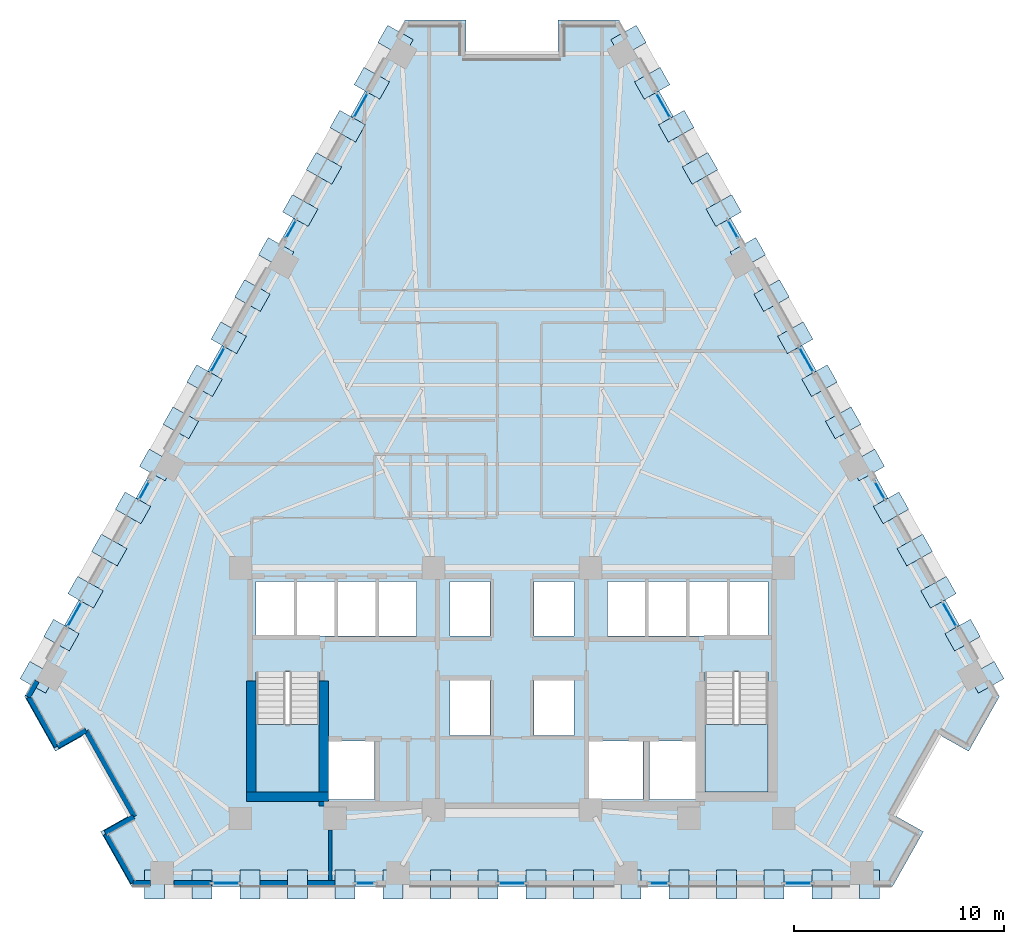
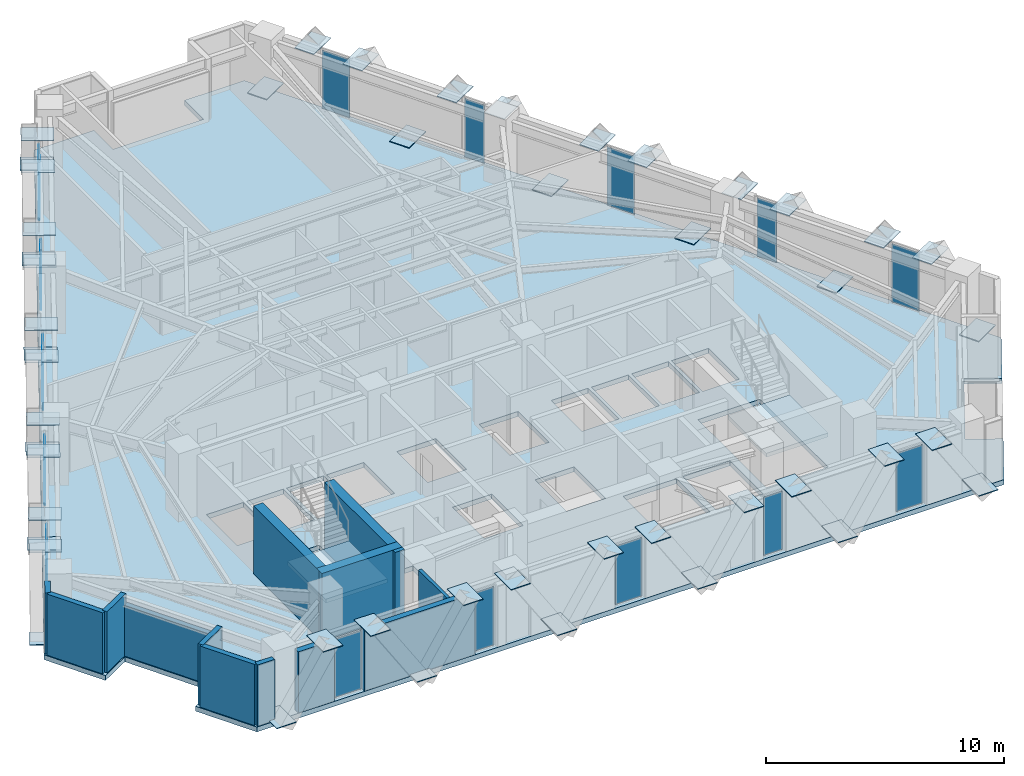
# One storey, part 6 of 13: 63 plates, 13 walls, 3 slabs, 17 elements without a shape of their own.
"""IFC4 building model written with IfcOpenShell, lengths in metres."""

from ifc_helpers import new_model, si_unit, direction, frame, frame_2d, origin, origin_2d, place, context, subcontext, project, spatial, polyline, rectangle, outline, extrude, material, layer, layer_set, type_object, element, aggregate, save


model = new_model("IFC4")

# Units and contexts
model_context = context("Model", 3, precision=1e-05, world=origin(), true_north=direction((0.0, 1.0)))
body_context = subcontext(model_context, "Body", "Model", "MODEL_VIEW")
ifc_project = project(units=[si_unit("LENGTHUNIT", "METRE"), si_unit("AREAUNIT", "SQUARE_METRE"), si_unit("VOLUMEUNIT", "CUBIC_METRE"), si_unit("PLANEANGLEUNIT", "RADIAN"), si_unit("MASSUNIT", "GRAM", prefix="KILO")], contexts=[model_context])

# Site, building, storey
site_placement = place(None, origin())
site = spatial("IfcSite", under=ifc_project, at=site_placement, CompositionType="ELEMENT")
building_placement = place(site_placement, origin())
building = spatial("IfcBuilding", under=site, at=building_placement, Name="Quenlor Broadcast Tower", CompositionType="ELEMENT")
storey_placement = place(building_placement, frame((0.0, 0.0, 87.10009765625)))
storey = spatial("IfcBuildingStorey", under=building, at=storey_placement, Name="L23", CompositionType="ELEMENT", Elevation=87.10009765625)

# Curtain wall, plate
ifc_material_1 = material(Name="Architectural Terracotta and Low-E Glazing", Category="masonry")
curtain_wall_type = type_object("IfcCurtainWallType", Name="Unitised Terracotta Curtain Wall System Z2", PredefinedType="NOTDEFINED", material=ifc_material_1)
curtain_wall_1_placement = place(storey_placement, origin())
curtain_wall_1 = element("IfcCurtainWall", 1, at=curtain_wall_1_placement, inside=storey, type_object=curtain_wall_type, Name="L23 Curtain Wall CW2 (L23-SA-G1)", PredefinedType="NOTDEFINED")
ifc_material_2 = material(Name="Double Glazed Low-E Solar Glass", Category="glass")
ifc_layer_1 = layer(ifc_material_2, 0.030029296875)
ifc_layer_set_1 = layer_set([ifc_layer_1], Name="CW2 Double Glazed Vision Panel 30")
plate_type_1 = type_object("IfcPlateType", Name="CW2 Double Glazed Vision Panel 30", PredefinedType="CURTAIN_PANEL", material=ifc_layer_set_1)
plate_1_placement = place(storey_placement, frame((13.63525390625, -19.840087890625, 0.07470703125), z_axis=(0.0, 0.0, 1.0), x_axis=(-1.0, 0.0, 0.0)))
plate_1 = element("IfcPlate", 2, at=plate_1_placement, type_object=plate_type_1, Name="CW2 panel 1.1", PredefinedType="CURTAIN_PANEL", context=body_context, shape_type="SweptSolid", body=[
    extrude(rectangle(XDim=1.29345703125, YDim=0.030029296875, at=origin_2d()), origin(), (0.0, 0.0, 1.0), 2.989990234375),
])
aggregate(curtain_wall_1, [plate_1])

curtain_wall_2_placement = place(storey_placement, origin())
curtain_wall_2 = element("IfcCurtainWall", 3, at=curtain_wall_2_placement, inside=storey, type_object=curtain_wall_type, Name="L23 Curtain Wall CW2 (L23-SA-G2)", PredefinedType="NOTDEFINED")
plate_2_placement = place(storey_placement, frame((7.0087890625, -19.840087890625, 0.07470703125), z_axis=(0.0, 0.0, 1.0), x_axis=(-1.0, 0.0, 0.0)))
plate_2 = element("IfcPlate", 4, at=plate_2_placement, type_object=plate_type_1, Name="CW2 panel 1.1", PredefinedType="CURTAIN_PANEL", context=body_context, shape_type="SweptSolid", body=[
    extrude(rectangle(XDim=0.9111328125, YDim=0.030029296875, at=origin_2d()), origin(), (0.0, 0.0, 1.0), 2.989990234375),
])
aggregate(curtain_wall_2, [plate_2])

curtain_wall_3_placement = place(storey_placement, origin())
curtain_wall_3 = element("IfcCurtainWall", 5, at=curtain_wall_3_placement, inside=storey, type_object=curtain_wall_type, Name="L23 Curtain Wall CW2 (L23-SC-G1)", PredefinedType="NOTDEFINED")
plate_3_placement = place(storey_placement, frame((-7.0087890625, -19.840087890625, 0.07470703125), z_axis=(0.0, 0.0, 1.0), x_axis=(-1.0, 0.0, 0.0)))
plate_3 = element("IfcPlate", 6, at=plate_3_placement, type_object=plate_type_1, Name="CW2 panel 1.1", PredefinedType="CURTAIN_PANEL", context=body_context, shape_type="SweptSolid", body=[
    extrude(rectangle(XDim=0.9111328125, YDim=0.030029296875, at=origin_2d()), origin(), (0.0, 0.0, 1.0), 2.989990234375),
])
aggregate(curtain_wall_3, [plate_3])

curtain_wall_4_placement = place(storey_placement, origin())
curtain_wall_4 = element("IfcCurtainWall", 7, at=curtain_wall_4_placement, inside=storey, type_object=curtain_wall_type, Name="L23 Curtain Wall CW2 (L23-SC-G2)", PredefinedType="NOTDEFINED")
plate_4_placement = place(storey_placement, frame((-13.63525390625, -19.840087890625, 0.07470703125), z_axis=(0.0, 0.0, 1.0), x_axis=(-1.0, 0.0, 0.0)))
plate_4 = element("IfcPlate", 8, at=plate_4_placement, type_object=plate_type_1, Name="CW2 panel 1.1", PredefinedType="CURTAIN_PANEL", context=body_context, shape_type="SweptSolid", body=[
    extrude(rectangle(XDim=1.29345703125, YDim=0.030029296875, at=origin_2d()), origin(), (0.0, 0.0, 1.0), 2.989990234375),
])
aggregate(curtain_wall_4, [plate_4])

curtain_wall_5_placement = place(storey_placement, origin())
curtain_wall_5 = element("IfcCurtainWall", 9, at=curtain_wall_5_placement, inside=storey, type_object=curtain_wall_type, Name="L23 Curtain Wall CW2 (L23-S-G1)", PredefinedType="NOTDEFINED")
plate_5_placement = place(storey_placement, frame((0.0, -19.840087890625, 0.07470703125), z_axis=(0.0, 0.0, 1.0), x_axis=(-1.0, 0.0, 0.0)))
plate_5 = element("IfcPlate", 10, at=plate_5_placement, type_object=plate_type_1, Name="CW2 panel 1.1", PredefinedType="CURTAIN_PANEL", context=body_context, shape_type="SweptSolid", body=[
    extrude(rectangle(XDim=1.29345703125, YDim=0.030029296875, at=origin_2d()), origin(), (0.0, 0.0, 1.0), 2.989990234375),
])
aggregate(curtain_wall_5, [plate_5])

curtain_wall_6_placement = place(storey_placement, origin())
curtain_wall_6 = element("IfcCurtainWall", 11, at=curtain_wall_6_placement, inside=storey, type_object=curtain_wall_type, Name="L23 Curtain Wall CW2 (L23-NEA-G1)", PredefinedType="NOTDEFINED")
plate_6_placement = place(storey_placement, frame((7.209228515625, 17.257080078125, 0.07470703125), z_axis=(0.0, 0.0, 1.0), x_axis=(0.490213487083, -0.871602396212, 0.0)))
plate_6 = element("IfcPlate", 12, at=plate_6_placement, type_object=plate_type_1, Name="CW2 panel 1.1", PredefinedType="CURTAIN_PANEL", context=body_context, shape_type="SweptSolid", body=[
    extrude(rectangle(XDim=1.34130859375, YDim=0.030029296875, at=origin_2d()), origin(), (0.0, 0.0, 1.0), 2.989990234375),
])
aggregate(curtain_wall_6, [plate_6])

curtain_wall_7_placement = place(storey_placement, origin())
curtain_wall_7 = element("IfcCurtainWall", 13, at=curtain_wall_7_placement, inside=storey, type_object=curtain_wall_type, Name="L23 Curtain Wall CW2 (L23-NEA-G2)", PredefinedType="NOTDEFINED")
plate_7_placement = place(storey_placement, frame((10.53173828125, 11.3505859375, 0.07470703125), z_axis=(0.0, 0.0, 1.0), x_axis=(0.490248534392, -0.8715826837, 0.0)))
plate_7 = element("IfcPlate", 14, at=plate_7_placement, type_object=plate_type_1, Name="CW2 panel 1.1", PredefinedType="CURTAIN_PANEL", context=body_context, shape_type="SweptSolid", body=[
    extrude(rectangle(XDim=0.970947265625, YDim=0.030029296875, at=origin_2d()), origin(), (0.0, 0.0, 1.0), 2.989990234375),
])
aggregate(curtain_wall_7, [plate_7])

curtain_wall_8_placement = place(storey_placement, origin())
curtain_wall_8 = element("IfcCurtainWall", 15, at=curtain_wall_8_placement, inside=storey, type_object=curtain_wall_type, Name="L23 Curtain Wall CW2 (L23-NEC-G1)", PredefinedType="NOTDEFINED")
plate_8_placement = place(storey_placement, frame((17.539306640625, -1.107421875, 0.07470703125), z_axis=(0.0, 0.0, 1.0), x_axis=(0.490248534392, -0.8715826837, 0.0)))
plate_8 = element("IfcPlate", 16, at=plate_8_placement, type_object=plate_type_1, Name="CW2 panel 1.1", PredefinedType="CURTAIN_PANEL", context=body_context, shape_type="SweptSolid", body=[
    extrude(rectangle(XDim=0.970947265625, YDim=0.030029296875, at=origin_2d()), origin(), (0.0, 0.0, 1.0), 2.989990234375),
])
aggregate(curtain_wall_8, [plate_8])

curtain_wall_9_placement = place(storey_placement, origin())
curtain_wall_9 = element("IfcCurtainWall", 17, at=curtain_wall_9_placement, inside=storey, type_object=curtain_wall_type, Name="L23 Curtain Wall CW2 (L23-NEC-G2)", PredefinedType="NOTDEFINED")
plate_9_placement = place(storey_placement, frame((20.861572265625, -7.013916015625, 0.07470703125), z_axis=(0.0, 0.0, 1.0), x_axis=(0.490242137678, -0.871586281699, 0.0)))
plate_9 = element("IfcPlate", 18, at=plate_9_placement, type_object=plate_type_1, Name="CW2 panel 1.1", PredefinedType="CURTAIN_PANEL", context=body_context, shape_type="SweptSolid", body=[
    extrude(rectangle(XDim=1.34130859375, YDim=0.030029296875, at=origin_2d()), origin(), (0.0, 0.0, 1.0), 2.989990234375),
])
aggregate(curtain_wall_9, [plate_9])

curtain_wall_10_placement = place(storey_placement, origin())
curtain_wall_10 = element("IfcCurtainWall", 19, at=curtain_wall_10_placement, inside=storey, type_object=curtain_wall_type, Name="L23 Curtain Wall CW2 (L23-NE-G1)", PredefinedType="NOTDEFINED")
plate_10_placement = place(storey_placement, frame((14.035400390625, 5.12158203125, 0.07470703125), z_axis=(0.0, 0.0, 1.0), x_axis=(0.490293074665, -0.871557629154, 0.0)))
plate_10 = element("IfcPlate", 20, at=plate_10_placement, type_object=plate_type_1, Name="CW2 panel 1.1", PredefinedType="CURTAIN_PANEL", context=body_context, shape_type="SweptSolid", body=[
    extrude(rectangle(XDim=1.34130859375, YDim=0.030029296875, at=origin_2d()), origin(), (0.0, 0.0, 1.0), 2.989990234375),
])
aggregate(curtain_wall_10, [plate_10])

curtain_wall_11_placement = place(storey_placement, origin())
curtain_wall_11 = element("IfcCurtainWall", 21, at=curtain_wall_11_placement, inside=storey, type_object=curtain_wall_type, Name="L23 Curtain Wall CW2 (L23-NWA-G1)", PredefinedType="NOTDEFINED")
plate_11_placement = place(storey_placement, frame((-20.861572265625, -7.013916015625, 0.07470703125), z_axis=(0.0, 0.0, 1.0), x_axis=(0.490242137678, 0.871586281699, 0.0)))
plate_11 = element("IfcPlate", 22, at=plate_11_placement, type_object=plate_type_1, Name="CW2 panel 1.1", PredefinedType="CURTAIN_PANEL", context=body_context, shape_type="SweptSolid", body=[
    extrude(rectangle(XDim=1.34130859375, YDim=0.030029296875, at=origin_2d()), origin(), (0.0, 0.0, 1.0), 2.989990234375),
])
aggregate(curtain_wall_11, [plate_11])

curtain_wall_12_placement = place(storey_placement, origin())
curtain_wall_12 = element("IfcCurtainWall", 23, at=curtain_wall_12_placement, inside=storey, type_object=curtain_wall_type, Name="L23 Curtain Wall CW2 (L23-NWA-G2)", PredefinedType="NOTDEFINED")
plate_12_placement = place(storey_placement, frame((-17.539306640625, -1.107421875, 0.07470703125), z_axis=(0.0, 0.0, 1.0), x_axis=(0.490248534392, 0.8715826837, 0.0)))
plate_12 = element("IfcPlate", 24, at=plate_12_placement, type_object=plate_type_1, Name="CW2 panel 1.1", PredefinedType="CURTAIN_PANEL", context=body_context, shape_type="SweptSolid", body=[
    extrude(rectangle(XDim=0.970947265625, YDim=0.030029296875, at=origin_2d()), origin(), (0.0, 0.0, 1.0), 2.989990234375),
])
aggregate(curtain_wall_12, [plate_12])

curtain_wall_13_placement = place(storey_placement, origin())
curtain_wall_13 = element("IfcCurtainWall", 25, at=curtain_wall_13_placement, inside=storey, type_object=curtain_wall_type, Name="L23 Curtain Wall CW2 (L23-NWC-G1)", PredefinedType="NOTDEFINED")
plate_13_placement = place(storey_placement, frame((-10.53173828125, 11.3505859375, 0.07470703125), z_axis=(0.0, 0.0, 1.0), x_axis=(0.490248534392, 0.8715826837, 0.0)))
plate_13 = element("IfcPlate", 26, at=plate_13_placement, type_object=plate_type_1, Name="CW2 panel 1.1", PredefinedType="CURTAIN_PANEL", context=body_context, shape_type="SweptSolid", body=[
    extrude(rectangle(XDim=0.970947265625, YDim=0.030029296875, at=origin_2d()), origin(), (0.0, 0.0, 1.0), 2.989990234375),
])
aggregate(curtain_wall_13, [plate_13])

curtain_wall_14_placement = place(storey_placement, origin())
curtain_wall_14 = element("IfcCurtainWall", 27, at=curtain_wall_14_placement, inside=storey, type_object=curtain_wall_type, Name="L23 Curtain Wall CW2 (L23-NWC-G2)", PredefinedType="NOTDEFINED")
plate_14_placement = place(storey_placement, frame((-7.209228515625, 17.257080078125, 0.07470703125), z_axis=(0.0, 0.0, 1.0), x_axis=(0.490213487083, 0.871602396212, 0.0)))
plate_14 = element("IfcPlate", 28, at=plate_14_placement, type_object=plate_type_1, Name="CW2 panel 1.1", PredefinedType="CURTAIN_PANEL", context=body_context, shape_type="SweptSolid", body=[
    extrude(rectangle(XDim=1.34130859375, YDim=0.030029296875, at=origin_2d()), origin(), (0.0, 0.0, 1.0), 2.989990234375),
])
aggregate(curtain_wall_14, [plate_14])

curtain_wall_15_placement = place(storey_placement, origin())
curtain_wall_15 = element("IfcCurtainWall", 29, at=curtain_wall_15_placement, inside=storey, type_object=curtain_wall_type, Name="L23 Curtain Wall CW2 (L23-NW-G1)", PredefinedType="NOTDEFINED")
plate_15_placement = place(storey_placement, frame((-14.035400390625, 5.12158203125, 0.07470703125), z_axis=(0.0, 0.0, 1.0), x_axis=(0.490293074665, 0.871557629154, 0.0)))
plate_15 = element("IfcPlate", 30, at=plate_15_placement, type_object=plate_type_1, Name="CW2 panel 1.1", PredefinedType="CURTAIN_PANEL", context=body_context, shape_type="SweptSolid", body=[
    extrude(rectangle(XDim=1.34130859375, YDim=0.030029296875, at=origin_2d()), origin(), (0.0, 0.0, 1.0), 2.989990234375),
])
aggregate(curtain_wall_15, [plate_15])

# Stair, slab
ifc_material_3 = material(Name="Precast concrete C40/50", Category="concrete")
stair_type = type_object("IfcStairType", Name="Precast Concrete C40/50 Dogleg Stair H350", PredefinedType="HALF_TURN_STAIR", material=ifc_material_3)
stair_1_placement = place(storey_placement, origin())
stair_1 = element("IfcStair", 31, at=stair_1_placement, inside=storey, type_object=stair_type, Name="L23 West Core Fire-Isolated Exit Stair ST-1", PredefinedType="HALF_TURN_STAIR")
ifc_material_4 = material(Name="Precast concrete C40/50", Category="concrete")
ifc_layer_2 = layer(ifc_material_4, 0.199951171875)
ifc_layer_set_2 = layer_set([ifc_layer_2], Name="Precast Concrete C40/50 Stair Landing Slab 200")
slab_type_1 = type_object("IfcSlabType", Name="Precast Concrete C40/50 Stair Landing Slab 200", PredefinedType="LANDING", material=ifc_layer_set_2)
slab_1_placement = place(storey_placement, frame((0.0, 0.0, 1.5498046875)))
slab_1 = element("IfcSlab", 32, at=slab_1_placement, type_object=slab_type_1, Name="ST-1 landing 1", PredefinedType="LANDING", context=body_context, shape_type="SweptSolid", body=[
    extrude(outline(polyline([(-12.199951171875, -12.27001953125), (-12.199951171875, -15.5), (-9.199951171875, -15.5), (-9.199951171875, -12.27001953125), (-12.199951171875, -12.27001953125)])), origin(), (0.0, 0.0, 1.0), 0.2001953125),
])
aggregate(stair_1, [slab_1])

stair_2_placement = place(storey_placement, origin())
stair_2 = element("IfcStair", 33, at=stair_2_placement, inside=storey, type_object=stair_type, Name="L23 East Core Fire-Isolated Exit Stair ST-2", PredefinedType="HALF_TURN_STAIR")
slab_2_placement = place(storey_placement, frame((0.0, 0.0, 1.5498046875)))
slab_2 = element("IfcSlab", 34, at=slab_2_placement, type_object=slab_type_1, Name="ST-2 landing 1", PredefinedType="LANDING", context=body_context, shape_type="SweptSolid", body=[
    extrude(outline(polyline([(9.199951171875, -12.27001953125), (9.199951171875, -15.5), (12.199951171875, -15.5), (12.199951171875, -12.27001953125), (9.199951171875, -12.27001953125)])), origin(), (0.0, 0.0, 1.0), 0.2001953125),
])
aggregate(stair_2, [slab_2])

# Slab
ifc_material_5 = material(Name="Concrete C40/50", Category="concrete")
ifc_layer_3 = layer(ifc_material_5, 0.25)
ifc_layer_set_3 = layer_set([ifc_layer_3], Name="Tower Composite Concrete C40/50 Slab 250")
slab_type_2 = type_object("IfcSlabType", Name="Tower Composite Concrete C40/50 Slab 250", PredefinedType="FLOOR", material=ifc_layer_set_3)
slab_3_placement = place(storey_placement, frame((0.0, 0.0, -0.25)))
element("IfcSlab", 35, at=slab_3_placement, inside=storey, type_object=slab_type_2, Name="L23 Structural Floor Slab", PredefinedType="FLOOR", context=body_context, shape_type="SweptSolid", body=[
    extrude(outline(polyline([(18.14404296875, -20.0), (19.616943359375, -17.381591796875), (18.222412109375, -16.596923828125), (20.379638671875, -12.76220703125), (21.774169921875, -13.54638671875), (23.2470703125, -10.927978515625), (5.10302734375, 21.327880859375), (2.199951171875, 21.327880859375), (2.199951171875, 19.72802734375), (-2.199951171875, 19.72802734375), (-2.199951171875, 21.327880859375), (-5.10302734375, 21.327880859375), (-23.2470703125, -10.927978515625), (-21.774169921875, -13.54638671875), (-20.379638671875, -12.76220703125), (-18.222412109375, -16.596923828125), (-19.616943359375, -17.381591796875), (-18.14404296875, -20.0), (18.14404296875, -20.0)]), holes=[polyline([(-12.199951171875, -9.758056640625), (-12.199951171875, -15.5), (-9.199951171875, -15.5), (-9.199951171875, -9.758056640625), (-12.199951171875, -9.758056640625)]), polyline([(9.199951171875, -9.758056640625), (9.199951171875, -15.5), (12.199951171875, -15.5), (12.199951171875, -9.758056640625), (9.199951171875, -9.758056640625)]), polyline([(-12.199951171875, -8.050048828125), (-10.39990234375, -8.050048828125), (-10.39990234375, -5.449951171875), (-12.199951171875, -5.449951171875), (-12.199951171875, -8.050048828125)]), polyline([(-10.25, -8.050048828125), (-8.449951171875, -8.050048828125), (-8.449951171875, -5.449951171875), (-10.25, -5.449951171875), (-10.25, -8.050048828125)]), polyline([(-8.300048828125, -8.050048828125), (-6.5, -8.050048828125), (-6.5, -5.449951171875), (-8.300048828125, -5.449951171875), (-8.300048828125, -8.050048828125)]), polyline([(-6.35009765625, -8.050048828125), (-4.550048828125, -8.050048828125), (-4.550048828125, -5.449951171875), (-6.35009765625, -5.449951171875), (-6.35009765625, -8.050048828125)]), polyline([(-2.949951171875, -8.050048828125), (-1.050048828125, -8.050048828125), (-1.050048828125, -5.449951171875), (-2.949951171875, -5.449951171875), (-2.949951171875, -8.050048828125)]), polyline([(1.050048828125, -8.050048828125), (2.949951171875, -8.050048828125), (2.949951171875, -5.449951171875), (1.050048828125, -5.449951171875), (1.050048828125, -8.050048828125)]), polyline([(-2.949951171875, -12.800048828125), (-1.050048828125, -12.800048828125), (-1.050048828125, -10.14990234375), (-2.949951171875, -10.14990234375), (-2.949951171875, -12.800048828125)]), polyline([(1.050048828125, -12.800048828125), (2.949951171875, -12.800048828125), (2.949951171875, -10.14990234375), (1.050048828125, -10.14990234375), (1.050048828125, -12.800048828125)]), polyline([(4.550048828125, -8.050048828125), (6.35009765625, -8.050048828125), (6.35009765625, -5.449951171875), (4.550048828125, -5.449951171875), (4.550048828125, -8.050048828125)]), polyline([(6.5, -8.050048828125), (8.300048828125, -8.050048828125), (8.300048828125, -5.449951171875), (6.5, -5.449951171875), (6.5, -8.050048828125)]), polyline([(8.449951171875, -8.050048828125), (10.25, -8.050048828125), (10.25, -5.449951171875), (8.449951171875, -5.449951171875), (8.449951171875, -8.050048828125)]), polyline([(10.39990234375, -8.050048828125), (12.199951171875, -8.050048828125), (12.199951171875, -5.449951171875), (10.39990234375, -5.449951171875), (10.39990234375, -8.050048828125)]), polyline([(-8.85009765625, -15.85009765625), (-6.550048828125, -15.85009765625), (-6.550048828125, -13.050048828125), (-8.85009765625, -13.050048828125), (-8.85009765625, -15.85009765625)]), polyline([(6.550048828125, -15.85009765625), (8.85009765625, -15.85009765625), (8.85009765625, -13.050048828125), (6.550048828125, -13.050048828125), (6.550048828125, -15.85009765625)]), polyline([(3.64990234375, -15.85009765625), (6.25, -15.85009765625), (6.25, -13.050048828125), (3.64990234375, -13.050048828125), (3.64990234375, -15.85009765625)])]), origin(), (0.0, 0.0, 1.0), 0.25),
])

# Plates
ifc_material_6 = material(Name="Steel S355", Category="steel")
ifc_layer_4 = layer(ifc_material_6, 0.035888671875)
ifc_layer_set_4 = layer_set([ifc_layer_4], Name="Transfer Truss Steel S355 Gusset Node Plate 1400x950x36")
plate_type_2 = type_object("IfcPlateType", Name="Transfer Truss Steel S355 Gusset Node Plate 1400x950x36", PredefinedType="SHEET", material=ifc_layer_set_4)
for number, where, z_axis, x_axis, name in (
    (36, (17.0439453125, -19.89990234375, 0.0419921875), (0.0, 0.0, 1.0), (0.0, -1.0, 0.0), "L23 Lattice Tie Gusset Node S-B0"),
    (37, (14.78515625, -19.89990234375, 3.18212890625), (0.0, 0.0, 1.0), (0.0, -1.0, 0.0), "L23 Lattice Tie Gusset Node S-T1"),
    (38, (10.226318359375, -19.89990234375, 0.0419921875), (0.0, 0.0, 1.0), (0.0, -1.0, 0.0), "L23 Lattice Tie Gusset Node S-B3"),
    (39, (12.4853515625, -19.89990234375, 3.18212890625), (0.0, 0.0, 1.0), (0.0, -1.0, 0.0), "L23 Lattice Tie Gusset Node S-T2"),
    (40, (7.967529296875, -19.89990234375, 3.18212890625), (0.0, 0.0, 1.0), (0.0, -1.0, 0.0), "L23 Lattice Tie Gusset Node S-T4"),
    (41, (3.40869140625, -19.89990234375, 0.0419921875), (0.0, 0.0, 1.0), (0.0, -1.0, 0.0), "L23 Lattice Tie Gusset Node S-B6"),
    (42, (5.667724609375, -19.89990234375, 3.18212890625), (0.0, 0.0, 1.0), (0.0, -1.0, 0.0), "L23 Lattice Tie Gusset Node S-T5"),
    (43, (1.14990234375, -19.89990234375, 3.18212890625), (0.0, 0.0, 1.0), (0.0, -1.0, 0.0), "L23 Lattice Tie Gusset Node S-T7"),
    (44, (-3.40869140625, -19.89990234375, 0.0419921875), (0.0, 0.0, 1.0), (0.0, -1.0, 0.0), "L23 Lattice Tie Gusset Node S-B9"),
    (45, (-1.14990234375, -19.89990234375, 3.18212890625), (0.0, 0.0, 1.0), (0.0, -1.0, 0.0), "L23 Lattice Tie Gusset Node S-T8"),
    (46, (-5.667724609375, -19.89990234375, 3.18212890625), (0.0, 0.0, 1.0), (0.0, -1.0, 0.0), "L23 Lattice Tie Gusset Node S-T10"),
    (47, (-10.226318359375, -19.89990234375, 0.0419921875), (0.0, 0.0, 1.0), (0.0, -1.0, 0.0), "L23 Lattice Tie Gusset Node S-B12"),
    (48, (-7.967529296875, -19.89990234375, 3.18212890625), (0.0, 0.0, 1.0), (0.0, -1.0, 0.0), "L23 Lattice Tie Gusset Node S-T11"),
    (49, (-12.4853515625, -19.89990234375, 3.18212890625), (0.0, 0.0, 1.0), (0.0, -1.0, 0.0), "L23 Lattice Tie Gusset Node S-T13"),
    (50, (-17.0439453125, -19.89990234375, 0.0419921875), (0.0, 0.0, 1.0), (0.0, -1.0, 0.0), "L23 Lattice Tie Gusset Node S-B15"),
    (51, (-14.78515625, -19.89990234375, 3.18212890625), (0.0, 0.0, 1.0), (0.0, -1.0, 0.0), "L23 Lattice Tie Gusset Node S-T14"),
    (52, (5.55517578125, 20.3203125, 0.0419921875), (0.0, 0.0, 1.0), (0.871556314255, 0.490295412055, 0.0), "L23 Lattice Tie Gusset Node NE-B0"),
    (53, (6.68603515625, 18.309814453125, 3.18212890625), (0.0, 0.0, 1.0), (0.871556314255, 0.490295412055, 0.0), "L23 Lattice Tie Gusset Node NE-T1"),
    (54, (8.96826171875, 14.252685546875, 0.0419921875), (0.0, 0.0, 1.0), (0.871556314255, 0.490295412055, 0.0), "L23 Lattice Tie Gusset Node NE-B3"),
    (55, (7.83740234375, 16.262939453125, 3.18212890625), (0.0, 0.0, 1.0), (0.871556314255, 0.490295412055, 0.0), "L23 Lattice Tie Gusset Node NE-T2"),
    (56, (10.09912109375, 12.2421875, 3.18212890625), (0.0, 0.0, 1.0), (0.871556314255, 0.490295412055, 0.0), "L23 Lattice Tie Gusset Node NE-T4"),
    (57, (12.38134765625, 8.184814453125, 0.0419921875), (0.0, 0.0, 1.0), (0.871556314255, 0.490295412055, 0.0), "L23 Lattice Tie Gusset Node NE-B6"),
    (58, (11.25048828125, 10.1953125, 3.18212890625), (0.0, 0.0, 1.0), (0.871556314255, 0.490295412055, 0.0), "L23 Lattice Tie Gusset Node NE-T5"),
    (59, (13.51220703125, 6.17431640625, 3.18212890625), (0.0, 0.0, 1.0), (0.871556314255, 0.490295412055, 0.0), "L23 Lattice Tie Gusset Node NE-T7"),
    (60, (15.794189453125, 2.1171875, 0.0419921875), (0.0, 0.0, 1.0), (0.871556314255, 0.490295412055, 0.0), "L23 Lattice Tie Gusset Node NE-B9"),
    (61, (14.66357421875, 4.127685546875, 3.18212890625), (0.0, 0.0, 1.0), (0.871556314255, 0.490295412055, 0.0), "L23 Lattice Tie Gusset Node NE-T8"),
    (62, (16.92529296875, 0.106689453125, 3.18212890625), (0.0, 0.0, 1.0), (0.871556314255, 0.490295412055, 0.0), "L23 Lattice Tie Gusset Node NE-T10"),
    (63, (19.20751953125, -3.950439453125, 0.0419921875), (0.0, 0.0, 1.0), (0.871556314255, 0.490295412055, 0.0), "L23 Lattice Tie Gusset Node NE-B12"),
    (64, (18.07666015625, -1.940185546875, 3.18212890625), (0.0, 0.0, 1.0), (0.871556314255, 0.490295412055, 0.0), "L23 Lattice Tie Gusset Node NE-T11"),
    (65, (20.33837890625, -5.9609375, 3.18212890625), (0.0, 0.0, 1.0), (0.871556314255, 0.490295412055, 0.0), "L23 Lattice Tie Gusset Node NE-T13"),
    (66, (22.62060546875, -10.018310546875, 0.0419921875), (0.0, 0.0, 1.0), (0.871556314255, 0.490295412055, 0.0), "L23 Lattice Tie Gusset Node NE-B15"),
    (67, (21.489501953125, -8.0078125, 3.18212890625), (0.0, 0.0, 1.0), (0.871556314255, 0.490295412055, 0.0), "L23 Lattice Tie Gusset Node NE-T14"),
    (68, (-22.62060546875, -10.018310546875, 0.0419921875), (0.0, 0.0, 1.0), (-0.871556314255, 0.490295412055, 0.0), "L23 Lattice Tie Gusset Node NW-B0"),
    (69, (-21.489501953125, -8.0078125, 3.18212890625), (0.0, 0.0, 1.0), (-0.871556314255, 0.490295412055, 0.0), "L23 Lattice Tie Gusset Node NW-T1"),
    (70, (-19.20751953125, -3.950439453125, 0.0419921875), (0.0, 0.0, 1.0), (-0.871556314255, 0.490295412055, 0.0), "L23 Lattice Tie Gusset Node NW-B3"),
    (71, (-20.33837890625, -5.9609375, 3.18212890625), (0.0, 0.0, 1.0), (-0.871556314255, 0.490295412055, 0.0), "L23 Lattice Tie Gusset Node NW-T2"),
    (72, (-18.07666015625, -1.940185546875, 3.18212890625), (0.0, 0.0, 1.0), (-0.871556314255, 0.490295412055, 0.0), "L23 Lattice Tie Gusset Node NW-T4"),
    (73, (-15.794189453125, 2.1171875, 0.0419921875), (0.0, 0.0, 1.0), (-0.871556314255, 0.490295412055, 0.0), "L23 Lattice Tie Gusset Node NW-B6"),
    (74, (-16.92529296875, 0.106689453125, 3.18212890625), (0.0, 0.0, 1.0), (-0.871556314255, 0.490295412055, 0.0), "L23 Lattice Tie Gusset Node NW-T5"),
    (75, (-14.66357421875, 4.127685546875, 3.18212890625), (0.0, 0.0, 1.0), (-0.871556314255, 0.490295412055, 0.0), "L23 Lattice Tie Gusset Node NW-T7"),
    (76, (-12.38134765625, 8.184814453125, 0.0419921875), (0.0, 0.0, 1.0), (-0.871556314255, 0.490295412055, 0.0), "L23 Lattice Tie Gusset Node NW-B9"),
    (77, (-13.51220703125, 6.17431640625, 3.18212890625), (0.0, 0.0, 1.0), (-0.871556314255, 0.490295412055, 0.0), "L23 Lattice Tie Gusset Node NW-T8"),
    (78, (-11.25048828125, 10.1953125, 3.18212890625), (0.0, 0.0, 1.0), (-0.871556314255, 0.490295412055, 0.0), "L23 Lattice Tie Gusset Node NW-T10"),
    (79, (-8.96826171875, 14.252685546875, 0.0419921875), (0.0, 0.0, 1.0), (-0.871556314255, 0.490295412055, 0.0), "L23 Lattice Tie Gusset Node NW-B12"),
    (80, (-10.09912109375, 12.2421875, 3.18212890625), (0.0, 0.0, 1.0), (-0.871556314255, 0.490295412055, 0.0), "L23 Lattice Tie Gusset Node NW-T11"),
    (81, (-7.83740234375, 16.262939453125, 3.18212890625), (0.0, 0.0, 1.0), (-0.871556314255, 0.490295412055, 0.0), "L23 Lattice Tie Gusset Node NW-T13"),
    (82, (-5.55517578125, 20.3203125, 0.0419921875), (0.0, 0.0, 1.0), (-0.871556314255, 0.490295412055, 0.0), "L23 Lattice Tie Gusset Node NW-B15"),
    (83, (-6.68603515625, 18.309814453125, 3.18212890625), (0.0, 0.0, 1.0), (-0.871556314255, 0.490295412055, 0.0), "L23 Lattice Tie Gusset Node NW-T14"),
):
    element("IfcPlate", number, at=place(storey_placement, frame(where, z_axis=z_axis, x_axis=x_axis)), inside=storey, type_object=plate_type_2, Name=name, PredefinedType="SHEET", context=body_context, shape_type="SweptSolid", body=[
        extrude(rectangle(XDim=1.39990234375, YDim=0.949951171875, at=origin_2d()), origin(), (0.0, 0.0, 1.0), 0.035888671875),
    ])

# Walls
ifc_material_7 = material(Name="Acoustic Double Stud Gypsum Partition", Category="other")
ifc_layer_5 = layer(ifc_material_7, 0.14990234375)
ifc_layer_set_5 = layer_set([ifc_layer_5], Name="Broadcast Studio Acoustic Partition 150")
wall_type_1 = type_object("IfcWallType", Name="Broadcast Studio Acoustic Partition 150", PredefinedType="PARTITIONING", material=ifc_layer_set_5)
wall_1_placement = place(storey_placement, frame((-8.66650390625, -17.302001953125, 0.0), z_axis=(0.0, 0.0, 1.0), x_axis=(0.0, -1.0, 0.0)))
element("IfcWall", 84, at=wall_1_placement, inside=storey, type_object=wall_type_1, Name="L23 Interior Wall PW-DV-07", PredefinedType="PARTITIONING", context=body_context, shape_type="SweptSolid", body=[
    extrude(rectangle(XDim=2.39599609375, YDim=0.14990234375, at=frame_2d((1.197998046875, 0.0))), origin(), (0.0, 0.0, 1.0), 3.139892578125),
])
ifc_material_8 = material(Name="Concrete C50/60", Category="concrete")
ifc_layer_6 = layer(ifc_material_8, 0.449951171875)
ifc_layer_set_6 = layer_set([ifc_layer_6], Name="Core Concrete C50/60 Shear Wall 450")
wall_type_2 = type_object("IfcWallType", Name="Core Concrete C50/60 Shear Wall 450", PredefinedType="SHEAR", material=ifc_layer_set_6)
wall_2_placement = place(storey_placement, frame((-12.64990234375, -15.72509765625, 0.0), z_axis=(0.0, 0.0, 1.0), x_axis=(1.0, 0.0, 0.0)))
element("IfcWall", 85, at=wall_2_placement, inside=storey, type_object=wall_type_2, Name="L23 Core Shear Wall WS-W1", PredefinedType="SHEAR", context=body_context, shape_type="SweptSolid", body=[
    extrude(rectangle(XDim=3.89990234375, YDim=0.449951171875, at=frame_2d((1.949951171875, 0.0))), origin(), (0.0, 0.0, 1.0), 3.5),
])
wall_3_placement = place(storey_placement, frame((-12.425048828125, -15.72509765625, 0.0), z_axis=(0.0, 0.0, 1.0), x_axis=(0.0, 1.0, 0.0)))
element("IfcWall", 86, at=wall_3_placement, inside=storey, type_object=wall_type_2, Name="L23 Core Shear Wall WF-W", PredefinedType="SHEAR", context=body_context, shape_type="SweptSolid", body=[
    extrude(rectangle(XDim=5.525146484375, YDim=0.449951171875, at=frame_2d((2.7626953125, 0.0))), origin(), (0.0, 0.0, 1.0), 3.5),
])
wall_4_placement = place(storey_placement, frame((-8.97509765625, -16.14990234375, 0.0), z_axis=(0.0, 0.0, 1.0), x_axis=(0.0, 1.0, 0.0)))
element("IfcWall", 87, at=wall_4_placement, inside=storey, type_object=wall_type_2, Name="L23 Core Shear Wall WI-W", PredefinedType="SHEAR", context=body_context, shape_type="SweptSolid", body=[
    extrude(rectangle(XDim=5.949951171875, YDim=0.449951171875, at=frame_2d((2.97509765625, 0.0))), origin(), (0.0, 0.0, 1.0), 3.5),
])
ifc_material_9 = material(Name="Precast concrete C40/50", Category="concrete")
ifc_layer_7 = layer(ifc_material_9, 0.239990234375)
ifc_layer_set_7 = layer_set([ifc_layer_7], Name="Terrace Threshold Precast Concrete C40/50 Wall 240")
wall_type_3 = type_object("IfcWallType", Name="Terrace Threshold Precast Concrete C40/50 Wall 240", PredefinedType="STANDARD", material=ifc_layer_set_7)
wall_5_placement = place(storey_placement, frame((-17.24755859375, -19.840087890625, 0.0), z_axis=(0.0, 0.0, 1.0), x_axis=(-1.0, 0.0, 0.0)))
element("IfcWall", 88, at=wall_5_placement, inside=storey, type_object=wall_type_3, Name="L23 Exterior Wall L23-SHD-SS1", PredefinedType="STANDARD", context=body_context, shape_type="SweptSolid", body=[
    extrude(rectangle(XDim=0.83642578125, YDim=0.239990234375, at=frame_2d((0.418212890625, 0.0))), origin(), (0.0, 0.0, 1.0), 3.139892578125),
])
wall_6_placement = place(storey_placement, frame((-23.078125, -10.9541015625, 0.0), z_axis=(0.0, 0.0, 1.0), x_axis=(0.490355003566, 0.871522788272, 0.0)))
element("IfcWall", 89, at=wall_6_placement, inside=storey, type_object=wall_type_3, Name="L23 Exterior Wall L23-SHD-NWS0", PredefinedType="STANDARD", context=body_context, shape_type="SweptSolid", body=[
    extrude(rectangle(XDim=0.865234375, YDim=0.239990234375, at=frame_2d((0.4326171875, 0.0))), origin(), (0.0, 0.0, 1.0), 3.139892578125),
])
wall_7_placement = place(storey_placement, frame((-23.043701171875, -10.962890625, 0.0), z_axis=(0.0, 0.0, 1.0), x_axis=(0.490218533594, -0.871599557894, 0.0)))
element("IfcWall", 90, at=wall_7_placement, inside=storey, type_object=wall_type_3, Name="L23 Exterior Wall L23-CNR-12", PredefinedType="STANDARD", context=body_context, shape_type="SweptSolid", body=[
    extrude(rectangle(XDim=2.714111328125, YDim=0.239990234375, at=frame_2d((1.35693359375, 0.0))), origin(), (0.0, 0.0, 1.0), 3.139892578125),
])
wall_8_placement = place(storey_placement, frame((-21.67822265625, -13.30908203125, 0.0), z_axis=(0.0, 0.0, 1.0), x_axis=(0.871546278971, 0.490313250496, 0.0)))
element("IfcWall", 91, at=wall_8_placement, inside=storey, type_object=wall_type_3, Name="L23 Exterior Wall L23-CNR-13", PredefinedType="STANDARD", context=body_context, shape_type="SweptSolid", body=[
    extrude(rectangle(XDim=1.56005859375, YDim=0.239990234375, at=frame_2d((0.780029296875, 0.0))), origin(), (0.0, 0.0, 1.0), 3.139892578125),
])
wall_9_placement = place(storey_placement, frame((-20.299072265625, -12.5791015625, 0.0), z_axis=(0.0, 0.0, 1.0), x_axis=(0.490313250496, -0.871546278971, 0.0)))
element("IfcWall", 92, at=wall_9_placement, inside=storey, type_object=wall_type_3, Name="L23 Exterior Wall L23-CNR-14", PredefinedType="STANDARD", context=body_context, shape_type="SweptSolid", body=[
    extrude(rectangle(XDim=4.679931640625, YDim=0.239990234375, at=frame_2d((2.33984375, 0.0))), origin(), (0.0, 0.0, 1.0), 2.61181640625),
])
wall_10_placement = place(storey_placement, frame((-18.039306640625, -16.677490234375, 0.0), z_axis=(0.0, 0.0, 1.0), x_axis=(-0.871546278971, -0.490313250496, 0.0)))
element("IfcWall", 93, at=wall_10_placement, inside=storey, type_object=wall_type_3, Name="L23 Exterior Wall L23-CNR-15", PredefinedType="STANDARD", context=body_context, shape_type="SweptSolid", body=[
    extrude(rectangle(XDim=1.56005859375, YDim=0.239990234375, at=frame_2d((0.780029296875, 0.0))), origin(), (0.0, 0.0, 1.0), 3.139892578125),
])
wall_11_placement = place(storey_placement, frame((-19.37939453125, -17.477294921875, 0.0), z_axis=(0.0, 0.0, 1.0), x_axis=(0.49023085981, -0.871592625078, 0.0)))
element("IfcWall", 94, at=wall_11_placement, inside=storey, type_object=wall_type_3, Name="L23 Exterior Wall L23-CNR-16", PredefinedType="STANDARD", context=body_context, shape_type="SweptSolid", body=[
    extrude(rectangle(XDim=2.6708984375, YDim=0.239990234375, at=frame_2d((1.33544921875, 0.0))), origin(), (0.0, 0.0, 1.0), 3.139892578125),
])
ifc_material_10 = material(Name="Precast concrete C40/50", Category="concrete")
ifc_layer_8 = layer(ifc_material_10, 0.280029296875)
ifc_layer_set_8 = layer_set([ifc_layer_8], Name="Terracotta Precast Concrete C40/50 Facade Wall 280")
wall_type_4 = type_object("IfcWallType", Name="Terracotta Precast Concrete C40/50 Facade Wall 280", PredefinedType="STANDARD", material=ifc_layer_set_8)
wall_12_placement = place(storey_placement, frame((-7.539306640625, -19.840087890625, 0.0), z_axis=(0.0, 0.0, 1.0), x_axis=(-1.0, 0.0, 0.0)))
element("IfcWall", 95, at=wall_12_placement, inside=storey, type_object=wall_type_4, Name="L23 Exterior Wall L23-SC-SP2", PredefinedType="STANDARD", context=body_context, shape_type="SweptSolid", body=[
    extrude(rectangle(XDim=5.374267578125, YDim=0.280029296875, at=frame_2d((2.68701171875, 0.0))), origin(), (0.0, 0.0, 1.0), 3.139892578125),
])
wall_13_placement = place(storey_placement, frame((-14.35693359375, -19.840087890625, 0.0), z_axis=(0.0, 0.0, 1.0), x_axis=(-1.0, 0.0, 0.0)))
element("IfcWall", 96, at=wall_13_placement, inside=storey, type_object=wall_type_4, Name="L23 Exterior Wall L23-SC-SP3", PredefinedType="STANDARD", context=body_context, shape_type="SweptSolid", body=[
    extrude(rectangle(XDim=1.760498046875, YDim=0.280029296875, at=frame_2d((0.88037109375, 0.0))), origin(), (0.0, 0.0, 1.0), 3.139892578125),
])

save(model, "model.ifc")
